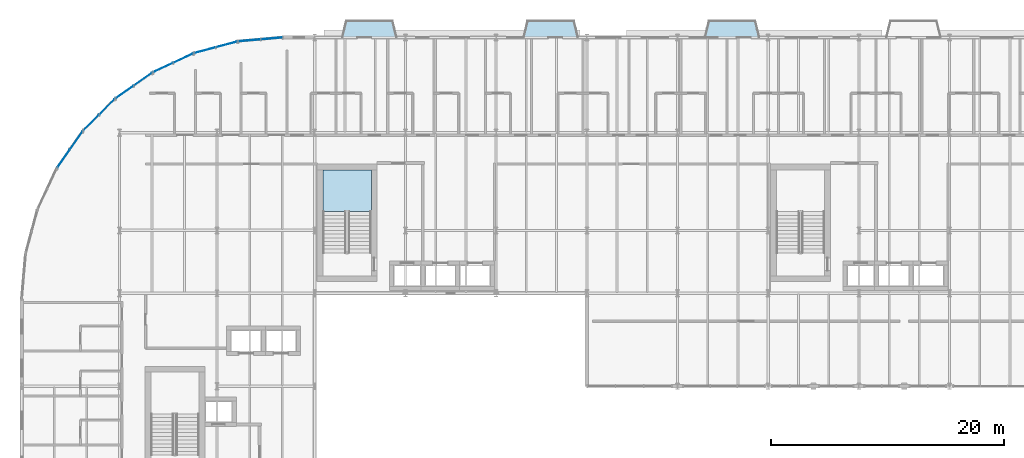
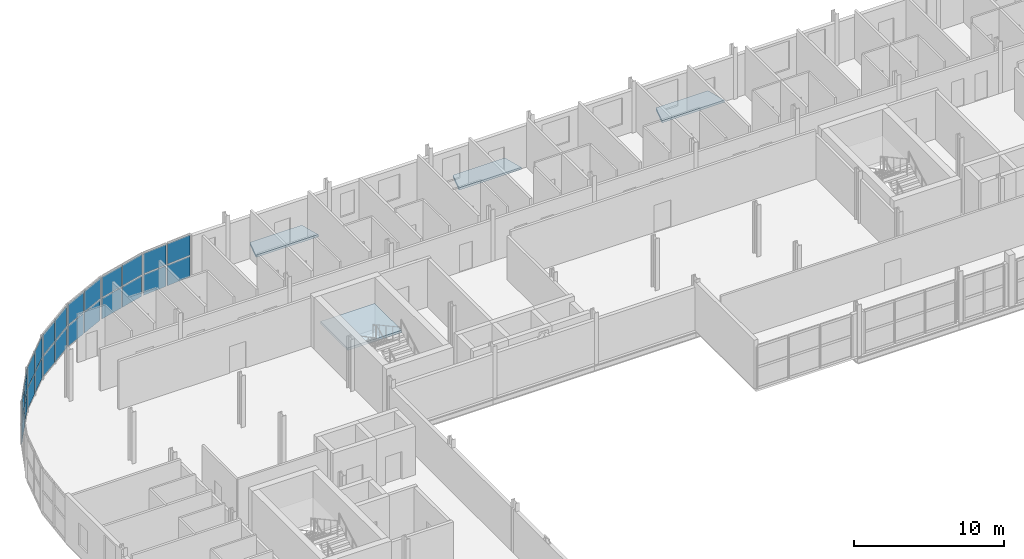
# One storey, part 23 of 45: 24 plates, 4 slabs, 7 elements without a shape of their own.
"""IFC4 building model written with IfcOpenShell, lengths in metres."""

import ifcopenshell
import ifcopenshell.guid

model = None  # the IFC model being written
_history = None  # IfcOwnerHistory: only IFC2X3 demands one
_inside = {}  # id of a spatial element -> (the spatial element, [elements in it])
_under = {}  # id of a project, library or spatial element -> (it, [spatial elements below it])
_declared = {}  # id of a project -> (the project, [libraries it declares])
_typed = {}  # id of a type object -> (the type object, [elements of that type])
_made_of = {}  # id of a material, layer set ... -> (it, [elements and type objects made of it])


def new_model(schema):
    """Start an empty IFC model of exactly this schema.

    Asked for "IFC4X3", IfcOpenShell would pick the latest addendum, in which some entities
    have other attributes; the version numbers below select the first issue.
    IFC2X3 requires an IfcOwnerHistory on every rooted entity: one is made here for all.
    """
    global model, _history
    if schema == "IFC4X3":
        model = ifcopenshell.file(schema_version=(4, 3, 0, 0))
    else:
        model = ifcopenshell.file(schema=schema)
    _inside.clear()
    _under.clear()
    _declared.clear()
    _typed.clear()
    _made_of.clear()
    _history = None
    if model.schema == "IFC2X3":
        org = make("IfcOrganization", Name="unknown")
        user = make(
            "IfcPersonAndOrganization",
            ThePerson=make("IfcPerson", FamilyName="unknown"),
            TheOrganization=org,
        )
        app = make(
            "IfcApplication",
            ApplicationDeveloper=org,
            Version="unknown",
            ApplicationFullName="unknown",
            ApplicationIdentifier="unknown",
        )
        _history = make(
            "IfcOwnerHistory",
            OwningUser=user,
            OwningApplication=app,
            ChangeAction="ADDED",
            CreationDate=0,
        )
    return model


def make(cls, **values):
    """One entity of the class cls with the attributes given. An attribute that is None is left unset."""
    return model.create_entity(
        cls, **{name: value for name, value in values.items() if value is not None}
    )


def rooted(cls, **values):
    """An entity with a GlobalId (a new one), such as an element, a storey or a relation."""
    return make(cls, GlobalId=ifcopenshell.guid.new(), OwnerHistory=_history, **values)


def si_unit(unit_type, name, prefix=None):
    """IfcSIUnit, for example si_unit("LENGTHUNIT", "METRE", prefix="MILLI")."""
    return make("IfcSIUnit", UnitType=unit_type, Prefix=prefix, Name=name)


def assignment(units):
    """IfcUnitAssignment: the units of a project."""
    return None if units is None else make("IfcUnitAssignment", Units=units)


def point(xyz):
    """IfcCartesianPoint."""
    return None if xyz is None else make("IfcCartesianPoint", Coordinates=xyz)


def direction(xyz):
    """IfcDirection."""
    return None if xyz is None else make("IfcDirection", DirectionRatios=xyz)


def frame(location, z_axis=None, x_axis=None):
    """IfcAxis2Placement3D, a coordinate frame: its origin and axes. An axis left out is left unset."""
    return make(
        "IfcAxis2Placement3D",
        Location=point(location),
        Axis=direction(z_axis),
        RefDirection=direction(x_axis),
    )


def frame_2d(location, x_axis=None):
    """IfcAxis2Placement2D, a coordinate frame in the plane: its origin and x axis."""
    return make(
        "IfcAxis2Placement2D", Location=point(location), RefDirection=direction(x_axis)
    )


def origin():
    """The frame at (0, 0, 0) with its axes left unset."""
    return frame((0.0, 0.0, 0.0))


def origin_2d():
    """The frame at (0, 0) in the plane with its x axis left unset."""
    return frame_2d((0.0, 0.0))


def place(relative_to, where):
    """IfcLocalPlacement: puts the frame where relative to a parent placement (None: the world)."""
    return make(
        "IfcLocalPlacement", PlacementRelTo=relative_to, RelativePlacement=where
    )


def context(
    kind, dimensions, precision=None, world=None, true_north=None, identifier=None
):
    """IfcGeometricRepresentationContext, for example the 3D "Model" context."""
    return make(
        "IfcGeometricRepresentationContext",
        ContextIdentifier=identifier,
        ContextType=kind,
        CoordinateSpaceDimension=dimensions,
        Precision=precision,
        WorldCoordinateSystem=world,
        TrueNorth=true_north,
    )


def subcontext(parent, identifier, kind, view, scale=None):
    """IfcGeometricRepresentationSubContext, for example "Body" below "Model"."""
    return make(
        "IfcGeometricRepresentationSubContext",
        ContextIdentifier=identifier,
        ContextType=kind,
        ParentContext=parent,
        TargetScale=scale,
        TargetView=view,
    )


def project(units=None, contexts=None):
    """IfcProject with its units and contexts."""
    return rooted(
        "IfcProject",
        Name="project",
        RepresentationContexts=contexts,
        UnitsInContext=assignment(units),
    )


def spatial(cls, under=None, at=None, **own):
    """A site, building, storey or space (cls), placed at a placement, below another one or the project."""
    s = rooted(cls, ObjectPlacement=at, **own)
    if under is not None:
        _under.setdefault(under.id(), (under, []))[1].append(s)
    return s


def polyline(points):
    """IfcPolyline through the points."""
    return make("IfcPolyline", Points=[point(p) for p in points])


def profile(cls, at=None, kind="AREA", **sizes):
    """A parametric profile (cls). Its sizes go by their IFC names, for example OverallWidth=200.0."""
    return make(cls, ProfileType=kind, Position=at, **sizes)


def rectangle(**sizes):
    """IfcRectangleProfileDef."""
    return profile("IfcRectangleProfileDef", **sizes)


def outline(outer, holes=None, kind="AREA"):
    """IfcArbitraryClosedProfileDef: a profile drawn as a closed curve; with holes, ...WithVoids."""
    if holes is None:
        return make("IfcArbitraryClosedProfileDef", ProfileType=kind, OuterCurve=outer)
    return make(
        "IfcArbitraryProfileDefWithVoids",
        ProfileType=kind,
        OuterCurve=outer,
        InnerCurves=holes,
    )


def extrude(swept, where, along, depth):
    """IfcExtrudedAreaSolid: the profile swept, set in the frame where, extruded along a direction by depth."""
    return make(
        "IfcExtrudedAreaSolid",
        SweptArea=swept,
        Position=where,
        ExtrudedDirection=direction(along),
        Depth=depth,
    )


def shape(context_of_items, identifier, shape_type, items):
    """IfcShapeRepresentation: the items that make up one representation, for example the "Body"."""
    return make(
        "IfcShapeRepresentation",
        ContextOfItems=context_of_items,
        RepresentationIdentifier=identifier,
        RepresentationType=shape_type,
        Items=items,
    )


def material(Name=None, Category=None):
    """IfcMaterial."""
    return make("IfcMaterial", Name=Name, Category=Category)


def layer(
    of_material, thickness, ventilated=None, Name=None, Category=None, Priority=None
):
    """IfcMaterialLayer: one layer of a wall or slab, of a material (None: an air gap)."""
    return make(
        "IfcMaterialLayer",
        Material=of_material,
        LayerThickness=thickness,
        IsVentilated=ventilated,
        Name=Name,
        Category=Category,
        Priority=Priority,
    )


def layer_set(layers, Name=None):
    """IfcMaterialLayerSet."""
    return make("IfcMaterialLayerSet", MaterialLayers=layers, LayerSetName=Name)


def made_of(thing, what):
    """Note that an element or type object is made of a material, layer set ...; save() writes the relation."""
    if what is not None:
        _made_of.setdefault(what.id(), (what, []))[1].append(thing)
    return thing


def type_object(cls, material=None, **own):
    """A type object (cls), such as IfcWallType, which elements share."""
    return made_of(rooted(cls, **own), material)


def element(
    cls,
    number,
    at=None,
    inside=None,
    cuts=None,
    type_object=None,
    material=None,
    context=None,
    identifier="Body",
    shape_type=None,
    held_by="IfcProductDefinitionShape",
    body=None,
    shapes=None,
    **own,
):
    """One element of the class cls, such as IfcWall. Its Tag is "e" and its number.

    at: its placement. inside: the storey or other place that contains it. cuts: it is an
    opening in that element (IfcRelVoidsElement). A single representation is given by context,
    identifier, shape_type and body (its items); several are given by shapes. held_by: the class
    of the entity that holds the representations. save() writes the other relations.
    """
    e = rooted(cls, Tag="e%d" % number, ObjectPlacement=at, **own)
    if body is not None:
        shapes = [shape(context, identifier, shape_type, body)]
    if shapes is not None:
        e.Representation = make(held_by, Representations=shapes)
    if inside is not None:
        _inside.setdefault(inside.id(), (inside, []))[1].append(e)
    if cuts is not None:
        rooted(
            "IfcRelVoidsElement", RelatingBuildingElement=cuts, RelatedOpeningElement=e
        )
    if type_object is not None:
        _typed.setdefault(type_object.id(), (type_object, []))[1].append(e)
    return made_of(e, material)


def aggregate(whole, parts):
    """IfcRelAggregates: a whole, such as a stair, and the parts it consists of."""
    return rooted("IfcRelAggregates", RelatingObject=whole, RelatedObjects=parts)


def save(model, path):
    """Write the relations noted so far, then the file.

    IfcRelAggregates (storeys below a building ...), IfcRelContainedInSpatialStructure (elements
    in a storey), IfcRelDefinesByType, IfcRelAssociatesMaterial and IfcRelDeclares: one each for
    every whole, place, type object, material and project.
    """
    for whole, parts in _under.values():
        aggregate(whole, parts)
    for where, things in _inside.values():
        rooted(
            "IfcRelContainedInSpatialStructure",
            RelatedElements=things,
            RelatingStructure=where,
        )
    for kind, things in _typed.values():
        rooted("IfcRelDefinesByType", RelatedObjects=things, RelatingType=kind)
    for what, things in _made_of.values():
        rooted("IfcRelAssociatesMaterial", RelatedObjects=things, RelatingMaterial=what)
    for by, libraries in _declared.values():
        rooted("IfcRelDeclares", RelatingContext=by, RelatedDefinitions=libraries)
    model.write(path)


model = new_model("IFC4")

# Units and contexts
model_context = context("Model", 3, precision=1e-05, world=origin(), true_north=direction((0.0, 1.0)))
body_context = subcontext(model_context, "Body", "Model", "MODEL_VIEW")
ifc_project = project(units=[si_unit("LENGTHUNIT", "METRE"), si_unit("AREAUNIT", "SQUARE_METRE"), si_unit("VOLUMEUNIT", "CUBIC_METRE"), si_unit("PLANEANGLEUNIT", "RADIAN"), si_unit("MASSUNIT", "GRAM", prefix="KILO")], contexts=[model_context])

# Site, building, storey
site_placement = place(None, origin())
site = spatial("IfcSite", under=ifc_project, at=site_placement, CompositionType="ELEMENT")
building_placement = place(site_placement, origin())
building = spatial("IfcBuilding", under=site, at=building_placement, Name="Sefraquen Railside Congress Hotel", CompositionType="ELEMENT")
storey_placement = place(building_placement, frame((0.0, 0.0, 20.39990234375)))
storey = spatial("IfcBuildingStorey", under=building, at=storey_placement, Name="L04", CompositionType="ELEMENT", Elevation=20.39990234375)

# Curtain wall, plates
ifc_material_1 = material(Name="Thermally broken anodised aluminium and low-E double glazing", Category="aluminium")
ifc_layer_1 = layer(ifc_material_1, 0.199951171875)
ifc_layer_set_1 = layer_set([ifc_layer_1], Name="Thermally broken anodised aluminium and low-E double glazing")
curtain_wall_type_1 = type_object("IfcCurtainWallType", Name="TCW-UCW-05", PredefinedType="USERDEFINED", material=ifc_layer_set_1)
curtain_wall_1_placement = place(storey_placement, origin())
curtain_wall_1 = element("IfcCurtainWall", 1, at=curtain_wall_1_placement, inside=storey, type_object=curtain_wall_type_1, Name="Rotunda L04 curved curtain wall facet 1", ObjectType="UNITISED CURTAIN WALL", PredefinedType="USERDEFINED")
ifc_material_2 = material(Name="Solar-control low-E double glazing", Category="glass")
ifc_layer_2 = layer(ifc_material_2, 0.02392578125)
ifc_layer_set_2 = layer_set([ifc_layer_2], Name="Solar-control low-E double glazing")
plate_type_1 = type_object("IfcPlateType", Name="TP-CWP-01", PredefinedType="CURTAIN_PANEL", material=ifc_layer_set_2)
plate_1_placement = place(storey_placement, frame((21.50341796875, 117.912841796875, 0.0400390625), z_axis=(0.0, 0.0, 1.0), x_axis=(-0.996196219095, -0.087138355857, 0.0)))
plate_1 = element("IfcPlate", 2, at=plate_1_placement, type_object=plate_type_1, Name="CW-L04-ROT-01 panel 1.1", PredefinedType="CURTAIN_PANEL", context=body_context, shape_type="SweptSolid", body=[
    extrude(rectangle(XDim=1.8310546875, YDim=0.02392578125, at=origin_2d()), origin(), (0.0, 0.0, 1.0), 1.6650390625),
])
plate_2_placement = place(storey_placement, frame((19.589599609375, 117.745361328125, 0.0400390625), z_axis=(0.0, 0.0, 1.0), x_axis=(-0.996196219095, -0.087138355857, 0.0)))
plate_2 = element("IfcPlate", 3, at=plate_2_placement, type_object=plate_type_1, Name="CW-L04-ROT-01 panel 1.2", PredefinedType="CURTAIN_PANEL", context=body_context, shape_type="SweptSolid", body=[
    extrude(rectangle(XDim=1.8310546875, YDim=0.02392578125, at=origin_2d()), origin(), (0.0, 0.0, 1.0), 1.6650390625),
])

ifc_layer_3 = layer(ifc_material_1, 0.199951171875)
ifc_layer_set_3 = layer_set([ifc_layer_3], Name="Thermally broken anodised aluminium and low-E double glazing")
curtain_wall_type_2 = type_object("IfcCurtainWallType", Name="TCW-UCW-06", PredefinedType="USERDEFINED", material=ifc_layer_set_3)
curtain_wall_2_placement = place(storey_placement, origin())
curtain_wall_2 = element("IfcCurtainWall", 4, at=curtain_wall_2_placement, inside=storey, type_object=curtain_wall_type_2, Name="Rotunda L04 curved curtain wall facet 2", ObjectType="UNITISED CURTAIN WALL", PredefinedType="USERDEFINED")
plate_3_placement = place(storey_placement, frame((17.62646484375, 117.399169921875, 0.0400390625), z_axis=(0.0, 0.0, 1.0), x_axis=(-0.96593486019, -0.258785327773, 0.0)))
plate_3 = element("IfcPlate", 5, at=plate_3_placement, type_object=plate_type_1, Name="CW-L04-ROT-02 panel 1.1", PredefinedType="CURTAIN_PANEL", context=body_context, shape_type="SweptSolid", body=[
    extrude(rectangle(XDim=1.8310546875, YDim=0.02392578125, at=origin_2d()), origin(), (0.0, 0.0, 1.0), 1.6650390625),
])
plate_4_placement = place(storey_placement, frame((15.77099609375, 116.902099609375, 0.0400390625), z_axis=(0.0, 0.0, 1.0), x_axis=(-0.96593486019, -0.258785327773, 0.0)))
plate_4 = element("IfcPlate", 6, at=plate_4_placement, type_object=plate_type_1, Name="CW-L04-ROT-02 panel 1.2", PredefinedType="CURTAIN_PANEL", context=body_context, shape_type="SweptSolid", body=[
    extrude(rectangle(XDim=1.8310546875, YDim=0.02392578125, at=origin_2d()), origin(), (0.0, 0.0, 1.0), 1.6650390625),
])

ifc_layer_4 = layer(ifc_material_1, 0.199951171875)
ifc_layer_set_4 = layer_set([ifc_layer_4], Name="Thermally broken anodised aluminium and low-E double glazing")
curtain_wall_type_3 = type_object("IfcCurtainWallType", Name="TCW-UCW-07", PredefinedType="USERDEFINED", material=ifc_layer_set_4)
curtain_wall_3_placement = place(storey_placement, origin())
curtain_wall_3 = element("IfcCurtainWall", 7, at=curtain_wall_3_placement, inside=storey, type_object=curtain_wall_type_3, Name="Rotunda L04 curved curtain wall facet 3", ObjectType="UNITISED CURTAIN WALL", PredefinedType="USERDEFINED")
plate_5_placement = place(storey_placement, frame((13.897705078125, 116.22021484375, 0.0400390625), z_axis=(0.0, 0.0, 1.0), x_axis=(-0.906300410818, -0.422634079731, 0.0)))
plate_5 = element("IfcPlate", 8, at=plate_5_placement, type_object=plate_type_1, Name="CW-L04-ROT-03 panel 1.1", PredefinedType="CURTAIN_PANEL", context=body_context, shape_type="SweptSolid", body=[
    extrude(rectangle(XDim=1.830810546875, YDim=0.02392578125, at=origin_2d()), origin(), (0.0, 0.0, 1.0), 1.6650390625),
])
plate_6_placement = place(storey_placement, frame((12.15673828125, 115.408447265625, 0.0400390625), z_axis=(0.0, 0.0, 1.0), x_axis=(-0.906300410818, -0.422634079731, 0.0)))
plate_6 = element("IfcPlate", 9, at=plate_6_placement, type_object=plate_type_1, Name="CW-L04-ROT-03 panel 1.2", PredefinedType="CURTAIN_PANEL", context=body_context, shape_type="SweptSolid", body=[
    extrude(rectangle(XDim=1.830810546875, YDim=0.02392578125, at=origin_2d()), origin(), (0.0, 0.0, 1.0), 1.6650390625),
])

ifc_layer_5 = layer(ifc_material_1, 0.199951171875)
ifc_layer_set_5 = layer_set([ifc_layer_5], Name="Thermally broken anodised aluminium and low-E double glazing")
curtain_wall_type_4 = type_object("IfcCurtainWallType", Name="TCW-UCW-08", PredefinedType="USERDEFINED", material=ifc_layer_set_5)
curtain_wall_4_placement = place(storey_placement, origin())
curtain_wall_4 = element("IfcCurtainWall", 10, at=curtain_wall_4_placement, inside=storey, type_object=curtain_wall_type_4, Name="Rotunda L04 curved curtain wall facet 4", ObjectType="UNITISED CURTAIN WALL", PredefinedType="USERDEFINED")
plate_7_placement = place(storey_placement, frame((10.430419921875, 114.411865234375, 0.0400390625), z_axis=(0.0, 0.0, 1.0), x_axis=(-0.819132022195, -0.573605029802, 0.0)))
plate_7 = element("IfcPlate", 11, at=plate_7_placement, type_object=plate_type_1, Name="CW-L04-ROT-04 panel 1.1", PredefinedType="CURTAIN_PANEL", context=body_context, shape_type="SweptSolid", body=[
    extrude(rectangle(XDim=1.8310546875, YDim=0.02392578125, at=origin_2d()), origin(), (0.0, 0.0, 1.0), 1.6650390625),
])
plate_8_placement = place(storey_placement, frame((8.856689453125, 113.309814453125, 0.0400390625), z_axis=(0.0, 0.0, 1.0), x_axis=(-0.819132022195, -0.573605029802, 0.0)))
plate_8 = element("IfcPlate", 12, at=plate_8_placement, type_object=plate_type_1, Name="CW-L04-ROT-04 panel 1.2", PredefinedType="CURTAIN_PANEL", context=body_context, shape_type="SweptSolid", body=[
    extrude(rectangle(XDim=1.8310546875, YDim=0.02392578125, at=origin_2d()), origin(), (0.0, 0.0, 1.0), 1.6650390625),
])

ifc_layer_6 = layer(ifc_material_1, 0.199951171875)
ifc_layer_set_6 = layer_set([ifc_layer_6], Name="Thermally broken anodised aluminium and low-E double glazing")
curtain_wall_type_5 = type_object("IfcCurtainWallType", Name="TCW-UCW-09", PredefinedType="USERDEFINED", material=ifc_layer_set_6)
curtain_wall_5_placement = place(storey_placement, origin())
curtain_wall_5 = element("IfcCurtainWall", 13, at=curtain_wall_5_placement, inside=storey, type_object=curtain_wall_type_5, Name="Rotunda L04 curved curtain wall facet 5", ObjectType="UNITISED CURTAIN WALL", PredefinedType="USERDEFINED")
plate_9_placement = place(storey_placement, frame((7.329833984375, 112.028564453125, 0.0400390625), z_axis=(0.0, 0.0, 1.0), x_axis=(-0.707106781187, -0.707106781187, 0.0)))
plate_9 = element("IfcPlate", 14, at=plate_9_placement, type_object=plate_type_1, Name="CW-L04-ROT-05 panel 1.1", PredefinedType="CURTAIN_PANEL", context=body_context, shape_type="SweptSolid", body=[
    extrude(rectangle(XDim=1.8310546875, YDim=0.02392578125, at=origin_2d()), origin(), (0.0, 0.0, 1.0), 1.6650390625),
])
plate_10_placement = place(storey_placement, frame((5.971435546875, 110.670166015625, 0.0400390625), z_axis=(0.0, 0.0, 1.0), x_axis=(-0.707106781187, -0.707106781187, 0.0)))
plate_10 = element("IfcPlate", 15, at=plate_10_placement, type_object=plate_type_1, Name="CW-L04-ROT-05 panel 1.2", PredefinedType="CURTAIN_PANEL", context=body_context, shape_type="SweptSolid", body=[
    extrude(rectangle(XDim=1.8310546875, YDim=0.02392578125, at=origin_2d()), origin(), (0.0, 0.0, 1.0), 1.6650390625),
])

ifc_layer_7 = layer(ifc_material_1, 0.199951171875)
ifc_layer_set_7 = layer_set([ifc_layer_7], Name="Thermally broken anodised aluminium and low-E double glazing")
curtain_wall_type_6 = type_object("IfcCurtainWallType", Name="TCW-UCW-10", PredefinedType="USERDEFINED", material=ifc_layer_set_7)
curtain_wall_6_placement = place(storey_placement, origin())
curtain_wall_6 = element("IfcCurtainWall", 16, at=curtain_wall_6_placement, inside=storey, type_object=curtain_wall_type_6, Name="Rotunda L04 curved curtain wall facet 6", ObjectType="UNITISED CURTAIN WALL", PredefinedType="USERDEFINED")
plate_11_placement = place(storey_placement, frame((4.690185546875, 109.14306640625, 0.0400390625), z_axis=(0.0, 0.0, 1.0), x_axis=(-0.573605029802, -0.819132022195, 0.0)))
plate_11 = element("IfcPlate", 17, at=plate_11_placement, type_object=plate_type_1, Name="CW-L04-ROT-06 panel 1.1", PredefinedType="CURTAIN_PANEL", context=body_context, shape_type="SweptSolid", body=[
    extrude(rectangle(XDim=1.8310546875, YDim=0.02392578125, at=origin_2d()), origin(), (0.0, 0.0, 1.0), 1.6650390625),
])
plate_12_placement = place(storey_placement, frame((3.58837890625, 107.569580078125, 0.0400390625), z_axis=(0.0, 0.0, 1.0), x_axis=(-0.573605029802, -0.819132022195, 0.0)))
plate_12 = element("IfcPlate", 18, at=plate_12_placement, type_object=plate_type_1, Name="CW-L04-ROT-06 panel 1.2", PredefinedType="CURTAIN_PANEL", context=body_context, shape_type="SweptSolid", body=[
    extrude(rectangle(XDim=1.8310546875, YDim=0.02392578125, at=origin_2d()), origin(), (0.0, 0.0, 1.0), 1.6650390625),
])

# Plate
ifc_material_3 = material(Name="Triple acoustic solar-control glazing", Category="glass")
ifc_layer_8 = layer(ifc_material_3, 0.031982421875)
ifc_layer_set_8 = layer_set([ifc_layer_8], Name="Triple acoustic solar-control glazing")
plate_type_2 = type_object("IfcPlateType", Name="TP-CWP-02", PredefinedType="CURTAIN_PANEL", material=ifc_layer_set_8)
plate_13_placement = place(storey_placement, frame((21.50341796875, 117.912841796875, 1.78515625), z_axis=(0.0, 0.0, 1.0), x_axis=(-0.996196219095, -0.087138355857, 0.0)))
plate_13 = element("IfcPlate", 19, at=plate_13_placement, type_object=plate_type_2, Name="CW-L04-ROT-01 panel 2.1", PredefinedType="CURTAIN_PANEL", context=body_context, shape_type="SweptSolid", body=[
    extrude(rectangle(XDim=1.8310546875, YDim=0.031982421875, at=origin_2d()), origin(), (0.0, 0.0, 1.0), 1.6650390625),
])

plate_14_placement = place(storey_placement, frame((19.589599609375, 117.745361328125, 1.78515625), z_axis=(0.0, 0.0, 1.0), x_axis=(-0.996196219095, -0.087138355857, 0.0)))
plate_14 = element("IfcPlate", 20, at=plate_14_placement, type_object=plate_type_2, Name="CW-L04-ROT-01 panel 2.2", PredefinedType="CURTAIN_PANEL", context=body_context, shape_type="SweptSolid", body=[
    extrude(rectangle(XDim=1.8310546875, YDim=0.031982421875, at=origin_2d()), origin(), (0.0, 0.0, 1.0), 1.6650390625),
])

aggregate(curtain_wall_1, [plate_1, plate_2, plate_13, plate_14])

plate_15_placement = place(storey_placement, frame((17.62646484375, 117.399169921875, 1.78515625), z_axis=(0.0, 0.0, 1.0), x_axis=(-0.96593486019, -0.258785327773, 0.0)))
plate_15 = element("IfcPlate", 21, at=plate_15_placement, type_object=plate_type_2, Name="CW-L04-ROT-02 panel 2.1", PredefinedType="CURTAIN_PANEL", context=body_context, shape_type="SweptSolid", body=[
    extrude(rectangle(XDim=1.8310546875, YDim=0.031982421875, at=origin_2d()), origin(), (0.0, 0.0, 1.0), 1.6650390625),
])

plate_16_placement = place(storey_placement, frame((15.77099609375, 116.902099609375, 1.78515625), z_axis=(0.0, 0.0, 1.0), x_axis=(-0.96593486019, -0.258785327773, 0.0)))
plate_16 = element("IfcPlate", 22, at=plate_16_placement, type_object=plate_type_2, Name="CW-L04-ROT-02 panel 2.2", PredefinedType="CURTAIN_PANEL", context=body_context, shape_type="SweptSolid", body=[
    extrude(rectangle(XDim=1.8310546875, YDim=0.031982421875, at=origin_2d()), origin(), (0.0, 0.0, 1.0), 1.6650390625),
])

aggregate(curtain_wall_2, [plate_3, plate_4, plate_15, plate_16])

plate_17_placement = place(storey_placement, frame((13.897705078125, 116.22021484375, 1.78515625), z_axis=(0.0, 0.0, 1.0), x_axis=(-0.906300410818, -0.422634079731, 0.0)))
plate_17 = element("IfcPlate", 23, at=plate_17_placement, type_object=plate_type_2, Name="CW-L04-ROT-03 panel 2.1", PredefinedType="CURTAIN_PANEL", context=body_context, shape_type="SweptSolid", body=[
    extrude(rectangle(XDim=1.830810546875, YDim=0.031982421875, at=origin_2d()), origin(), (0.0, 0.0, 1.0), 1.6650390625),
])

plate_18_placement = place(storey_placement, frame((12.15673828125, 115.408447265625, 1.78515625), z_axis=(0.0, 0.0, 1.0), x_axis=(-0.906300410818, -0.422634079731, 0.0)))
plate_18 = element("IfcPlate", 24, at=plate_18_placement, type_object=plate_type_2, Name="CW-L04-ROT-03 panel 2.2", PredefinedType="CURTAIN_PANEL", context=body_context, shape_type="SweptSolid", body=[
    extrude(rectangle(XDim=1.830810546875, YDim=0.031982421875, at=origin_2d()), origin(), (0.0, 0.0, 1.0), 1.6650390625),
])

aggregate(curtain_wall_3, [plate_5, plate_6, plate_17, plate_18])

plate_19_placement = place(storey_placement, frame((10.430419921875, 114.411865234375, 1.78515625), z_axis=(0.0, 0.0, 1.0), x_axis=(-0.819132022195, -0.573605029802, 0.0)))
plate_19 = element("IfcPlate", 25, at=plate_19_placement, type_object=plate_type_2, Name="CW-L04-ROT-04 panel 2.1", PredefinedType="CURTAIN_PANEL", context=body_context, shape_type="SweptSolid", body=[
    extrude(rectangle(XDim=1.8310546875, YDim=0.031982421875, at=origin_2d()), origin(), (0.0, 0.0, 1.0), 1.6650390625),
])

plate_20_placement = place(storey_placement, frame((8.856689453125, 113.309814453125, 1.78515625), z_axis=(0.0, 0.0, 1.0), x_axis=(-0.819132022195, -0.573605029802, 0.0)))
plate_20 = element("IfcPlate", 26, at=plate_20_placement, type_object=plate_type_2, Name="CW-L04-ROT-04 panel 2.2", PredefinedType="CURTAIN_PANEL", context=body_context, shape_type="SweptSolid", body=[
    extrude(rectangle(XDim=1.8310546875, YDim=0.031982421875, at=origin_2d()), origin(), (0.0, 0.0, 1.0), 1.6650390625),
])

aggregate(curtain_wall_4, [plate_7, plate_8, plate_19, plate_20])

plate_21_placement = place(storey_placement, frame((7.329833984375, 112.028564453125, 1.78515625), z_axis=(0.0, 0.0, 1.0), x_axis=(-0.707106781187, -0.707106781187, 0.0)))
plate_21 = element("IfcPlate", 27, at=plate_21_placement, type_object=plate_type_2, Name="CW-L04-ROT-05 panel 2.1", PredefinedType="CURTAIN_PANEL", context=body_context, shape_type="SweptSolid", body=[
    extrude(rectangle(XDim=1.8310546875, YDim=0.031982421875, at=origin_2d()), origin(), (0.0, 0.0, 1.0), 1.6650390625),
])

plate_22_placement = place(storey_placement, frame((5.971435546875, 110.670166015625, 1.78515625), z_axis=(0.0, 0.0, 1.0), x_axis=(-0.707106781187, -0.707106781187, 0.0)))
plate_22 = element("IfcPlate", 28, at=plate_22_placement, type_object=plate_type_2, Name="CW-L04-ROT-05 panel 2.2", PredefinedType="CURTAIN_PANEL", context=body_context, shape_type="SweptSolid", body=[
    extrude(rectangle(XDim=1.8310546875, YDim=0.031982421875, at=origin_2d()), origin(), (0.0, 0.0, 1.0), 1.6650390625),
])

aggregate(curtain_wall_5, [plate_9, plate_10, plate_21, plate_22])

plate_23_placement = place(storey_placement, frame((4.690185546875, 109.14306640625, 1.78515625), z_axis=(0.0, 0.0, 1.0), x_axis=(-0.573605029802, -0.819132022195, 0.0)))
plate_23 = element("IfcPlate", 29, at=plate_23_placement, type_object=plate_type_2, Name="CW-L04-ROT-06 panel 2.1", PredefinedType="CURTAIN_PANEL", context=body_context, shape_type="SweptSolid", body=[
    extrude(rectangle(XDim=1.8310546875, YDim=0.031982421875, at=origin_2d()), origin(), (0.0, 0.0, 1.0), 1.6650390625),
])

plate_24_placement = place(storey_placement, frame((3.58837890625, 107.569580078125, 1.78515625), z_axis=(0.0, 0.0, 1.0), x_axis=(-0.573605029802, -0.819132022195, 0.0)))
plate_24 = element("IfcPlate", 30, at=plate_24_placement, type_object=plate_type_2, Name="CW-L04-ROT-06 panel 2.2", PredefinedType="CURTAIN_PANEL", context=body_context, shape_type="SweptSolid", body=[
    extrude(rectangle(XDim=1.8310546875, YDim=0.031982421875, at=origin_2d()), origin(), (0.0, 0.0, 1.0), 1.6650390625),
])

aggregate(curtain_wall_6, [plate_11, plate_12, plate_23, plate_24])

# Slabs
ifc_material_4 = material(Name="Concrete C40/50", Category="concrete")
ifc_layer_9 = layer(ifc_material_4, 0.179931640625)
ifc_layer_set_9 = layer_set([ifc_layer_9], Name="Concrete C40/50")
slab_type_1 = type_object("IfcSlabType", Name="TS-BL-180", PredefinedType="FLOOR", material=ifc_layer_set_9)
slab_1_placement = place(storey_placement, frame((0.0, 0.0, -0.179931640625)))
element("IfcSlab", 31, at=slab_1_placement, inside=storey, type_object=slab_type_1, Name="Hotel Art Nouveau balcony slab L04-01", PredefinedType="FLOOR", context=body_context, shape_type="SweptSolid", body=[
    extrude(outline(polyline([(27.5, 118.0), (32.300048828125, 118.0), (31.89990234375, 119.5), (27.89990234375, 119.5), (27.5, 118.0)])), origin(), (0.0, 0.0, 1.0), 0.179931640625),
])
slab_2_placement = place(storey_placement, frame((0.0, 0.0, -0.179931640625)))
element("IfcSlab", 32, at=slab_2_placement, inside=storey, type_object=slab_type_1, Name="Hotel Art Nouveau balcony slab L04-02", PredefinedType="FLOOR", context=body_context, shape_type="SweptSolid", body=[
    extrude(outline(polyline([(43.10009765625, 118.0), (47.89990234375, 118.0), (47.5, 119.5), (43.5, 119.5), (43.10009765625, 118.0)])), origin(), (0.0, 0.0, 1.0), 0.179931640625),
])
slab_3_placement = place(storey_placement, frame((0.0, 0.0, -0.179931640625)))
element("IfcSlab", 33, at=slab_3_placement, inside=storey, type_object=slab_type_1, Name="Hotel Art Nouveau balcony slab L04-03", PredefinedType="FLOOR", context=body_context, shape_type="SweptSolid", body=[
    extrude(outline(polyline([(58.699951171875, 118.0), (63.5, 118.0), (63.10009765625, 119.5), (59.10009765625, 119.5), (58.699951171875, 118.0)])), origin(), (0.0, 0.0, 1.0), 0.179931640625),
])

# Stair, slab
stair_type = type_object("IfcStairType", Name="TST-DOG-198-420", PredefinedType="HALF_TURN_STAIR", material=ifc_material_4)
stair_placement = place(storey_placement, origin())
stair = element("IfcStair", 34, at=stair_placement, inside=storey, type_object=stair_type, Name="L04 Pressurized escape stair ST-H02", PredefinedType="HALF_TURN_STAIR")
ifc_layer_10 = layer(ifc_material_4, 0.199951171875)
ifc_layer_set_10 = layer_set([ifc_layer_10], Name="Concrete C40/50")
slab_type_2 = type_object("IfcSlabType", Name="TS-LD-200", PredefinedType="LANDING", material=ifc_layer_set_10)
slab_4_placement = place(storey_placement, frame((0.0, 0.0, 1.900146484375)))
slab_4 = element("IfcSlab", 35, at=slab_4_placement, type_object=slab_type_2, Name="ST-H02 landing 1", PredefinedType="LANDING", context=body_context, shape_type="SweptSolid", body=[
    extrude(outline(polyline([(30.06005859375, 103.02197265625), (30.06005859375, 106.612060546875), (25.89990234375, 106.612060546875), (25.89990234375, 103.02197265625), (30.06005859375, 103.02197265625)])), origin(), (0.0, 0.0, 1.0), 0.199951171875),
])
aggregate(stair, [slab_4])

save(model, "model.ifc")
